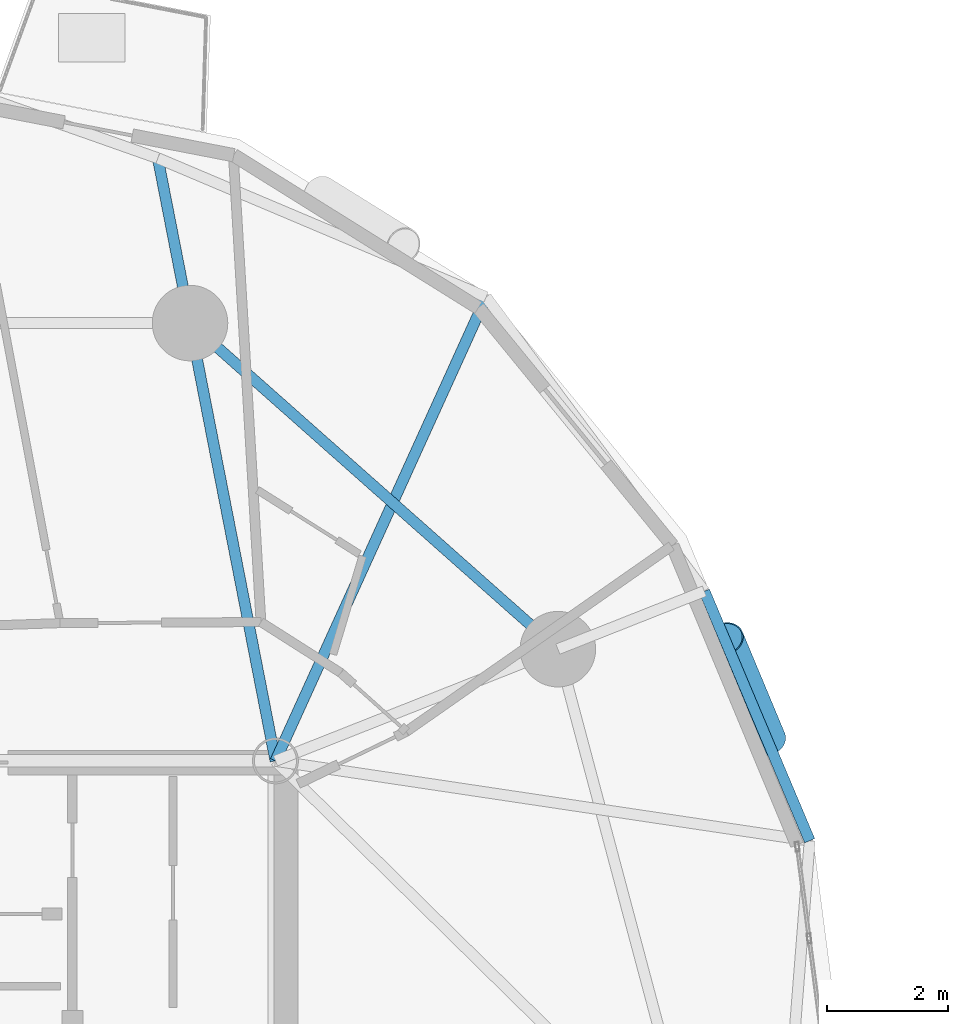
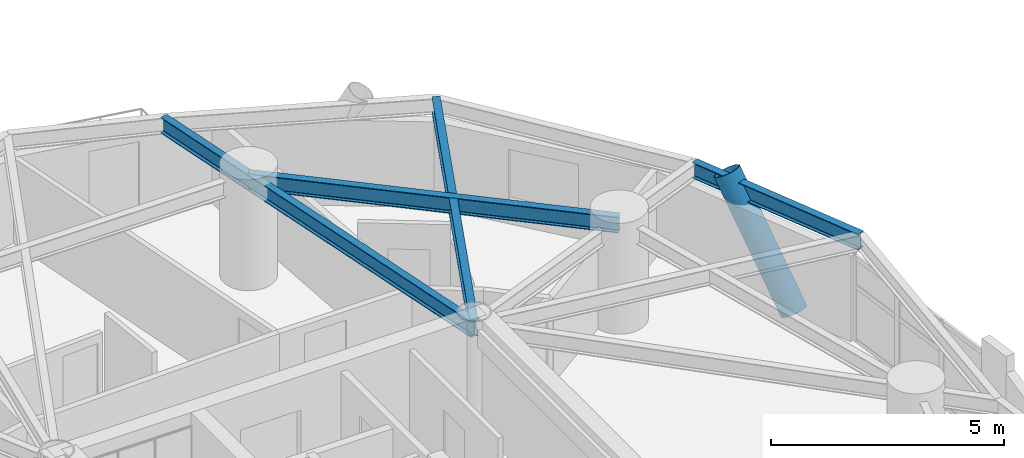
# One storey, part 3 of 17: 4 beams, 1 member.
"""IFC4 building model written with IfcOpenShell, lengths in metres."""

from ifc_helpers import new_model, si_unit, direction, frame, origin, origin_2d, place, context, subcontext, project, spatial, hollow_circle, i_section, extrude, material, material_profile, profile_set, type_object, element, save


model = new_model("IFC4")

# Units and contexts
model_context = context("Model", 3, precision=1e-05, world=origin(), true_north=direction((0.0, 1.0)))
body_context = subcontext(model_context, "Body", "Model", "MODEL_VIEW")
ifc_project = project(units=[si_unit("LENGTHUNIT", "METRE"), si_unit("AREAUNIT", "SQUARE_METRE"), si_unit("VOLUMEUNIT", "CUBIC_METRE"), si_unit("PLANEANGLEUNIT", "RADIAN"), si_unit("MASSUNIT", "GRAM", prefix="KILO")], contexts=[model_context])

# Site, building, storey
site_placement = place(None, origin())
site = spatial("IfcSite", under=ifc_project, at=site_placement, CompositionType="ELEMENT")
building_placement = place(site_placement, origin())
building = spatial("IfcBuilding", under=site, at=building_placement, Name="Cununo Teusaquillo Station Towers", CompositionType="ELEMENT")
storey_placement = place(building_placement, frame((0.0, 0.0, 154.510009765625)))
storey = spatial("IfcBuildingStorey", under=building, at=storey_placement, Name="L48", CompositionType="ELEMENT", Elevation=154.510009765625)

# Beams
ifc_material_1 = material(Name="Steel ASTM A572 Grade 50", Category="steel")
ifc_material_profile_1 = material_profile(ifc_material_1, i_section(OverallWidth=0.180908203125, OverallDepth=0.4169921875, WebThickness=0.010986328125, FlangeThickness=0.018310546875, FilletRadius=0.012939453125, at=origin_2d()), Name="W16X57")
ifc_profile_set_1 = profile_set([ifc_material_profile_1], Name="Steel ASTM A572 Grade 50")
beam_type_1 = type_object("IfcBeamType", Name="BM-JOIST-1", PredefinedType="JOIST", material=ifc_profile_set_1)
beam_1_placement = place(storey_placement, frame((21.675048828125, 31.3798828125, 2.4814453125), z_axis=(0.413558514621, 0.910477542274, 0.0), x_axis=(-0.910477542274, 0.413558514621, 0.0)))
element("IfcBeam", 1, at=beam_1_placement, inside=storey, type_object=beam_type_1, Name="L48 Tower A Radial Spandrel Joist V03", PredefinedType="JOIST", context=body_context, shape_type="SweptSolid", body=[
    extrude(i_section(OverallWidth=0.180908203125, OverallDepth=0.4169921875, WebThickness=0.010986328125, FlangeThickness=0.018310546875, FilletRadius=0.012939453125, at=origin_2d()), origin(), (0.0, 0.0, 1.0), 8.428955078125),
])
ifc_material_2 = material(Name="Steel ASTM A572 Grade 50", Category="steel")
ifc_material_profile_2 = material_profile(ifc_material_2, i_section(OverallWidth=0.180908203125, OverallDepth=0.4169921875, WebThickness=0.010986328125, FlangeThickness=0.018310546875, FilletRadius=0.012939453125, at=origin_2d()), Name="W16X57")
ifc_profile_set_2 = profile_set([ifc_material_profile_2], Name="Steel ASTM A572 Grade 50")
beam_type_2 = type_object("IfcBeamType", Name="BM-RAD-G2", PredefinedType="BEAM", material=ifc_profile_set_2)
beam_2_placement = place(storey_placement, frame((21.675048828125, 31.3798828125, 2.4814453125), z_axis=(-0.191552706487, 0.981482328235, 0.0), x_axis=(-0.981482328235, -0.191552706487, 0.0)))
element("IfcBeam", 2, at=beam_2_placement, inside=storey, type_object=beam_type_2, Name="L48 Tower A Continuous Overhanging Radial Girder 03", PredefinedType="BEAM", context=body_context, shape_type="SweptSolid", body=[
    extrude(i_section(OverallWidth=0.180908203125, OverallDepth=0.4169921875, WebThickness=0.010986328125, FlangeThickness=0.018310546875, FilletRadius=0.012939453125, at=origin_2d()), origin(), (0.0, 0.0, 1.0), 10.159423828125),
])
ifc_material_3 = material(Name="Steel ASTM A572 Grade 50", Category="steel")
ifc_material_profile_3 = material_profile(ifc_material_3, i_section(OverallWidth=0.180908203125, OverallDepth=0.4169921875, WebThickness=0.010986328125, FlangeThickness=0.018310546875, FilletRadius=0.012939453125, at=origin_2d()), Name="W16X57")
ifc_profile_set_3 = profile_set([ifc_material_profile_3], Name="Steel ASTM A572 Grade 50")
beam_type_3 = type_object("IfcBeamType", Name="BM-RING-Z3", PredefinedType="SPANDREL", material=ifc_profile_set_3)
beam_3_placement = place(storey_placement, frame((26.347412109375, 33.228515625, 2.4814453125), z_axis=(-0.74832120039, 0.66333655187, 0.0), x_axis=(-0.66333655187, -0.74832120039, 0.0)))
element("IfcBeam", 3, at=beam_3_placement, inside=storey, type_object=beam_type_3, Name="L48 Tower A Structural Column Ring Girder 02", PredefinedType="SPANDREL", context=body_context, shape_type="SweptSolid", body=[
    extrude(i_section(OverallWidth=0.180908203125, OverallDepth=0.4169921875, WebThickness=0.010986328125, FlangeThickness=0.018310546875, FilletRadius=0.012939453125, at=origin_2d()), origin(), (0.0, 0.0, 1.0), 8.1328125),
])
beam_4_placement = place(storey_placement, frame((30.513916015625, 30.05908203125, 2.4814453125), z_axis=(-0.388777827816, 0.921331536744, 0.0), x_axis=(-0.921331536744, -0.388777827816, 0.0)))
element("IfcBeam", 4, at=beam_4_placement, inside=storey, type_object=beam_type_3, Name="L48 Tower A Spandrel Ring Beam 02", PredefinedType="SPANDREL", context=body_context, shape_type="SweptSolid", body=[
    extrude(i_section(OverallWidth=0.180908203125, OverallDepth=0.4169921875, WebThickness=0.010986328125, FlangeThickness=0.018310546875, FilletRadius=0.012939453125, at=origin_2d()), origin(), (0.0, 0.0, 1.0), 4.481201171875),
])

# Member
ifc_material_4 = material(Name="Steel EN 10025-2 S355J2", Category="steel")
ifc_material_profile_4 = material_profile(ifc_material_4, hollow_circle(Radius=0.304931640625, WallThickness=0.02001953125, at=origin_2d()), Name="CHS 610x20")
ifc_profile_set_4 = profile_set([ifc_material_profile_4], Name="Steel EN 10025-2 S355J2")
member_type = type_object("IfcMemberType", Name="MBR-DIAG-Z3", PredefinedType="BRACE", material=ifc_profile_set_4)
member_placement = place(storey_placement, frame((29.816162109375, 31.73095703125, -0.139892578125), z_axis=(-0.203566141357, 0.487689772523, 0.848952007989), x_axis=(-0.922833497828, -0.385199085262, 0.0)))
element("IfcMember", 5, at=member_placement, inside=storey, type_object=member_type, Name="L48 Tower A Folded-Zigzag Diagrid Tube C01", PredefinedType="BRACE", context=body_context, shape_type="SweptSolid", body=[
    extrude(hollow_circle(Radius=0.304931640625, WallThickness=0.02001953125, at=origin_2d()), origin(), (0.0, 0.0, 1.0), 3.427734375),
])

save(model, "model.ifc")
